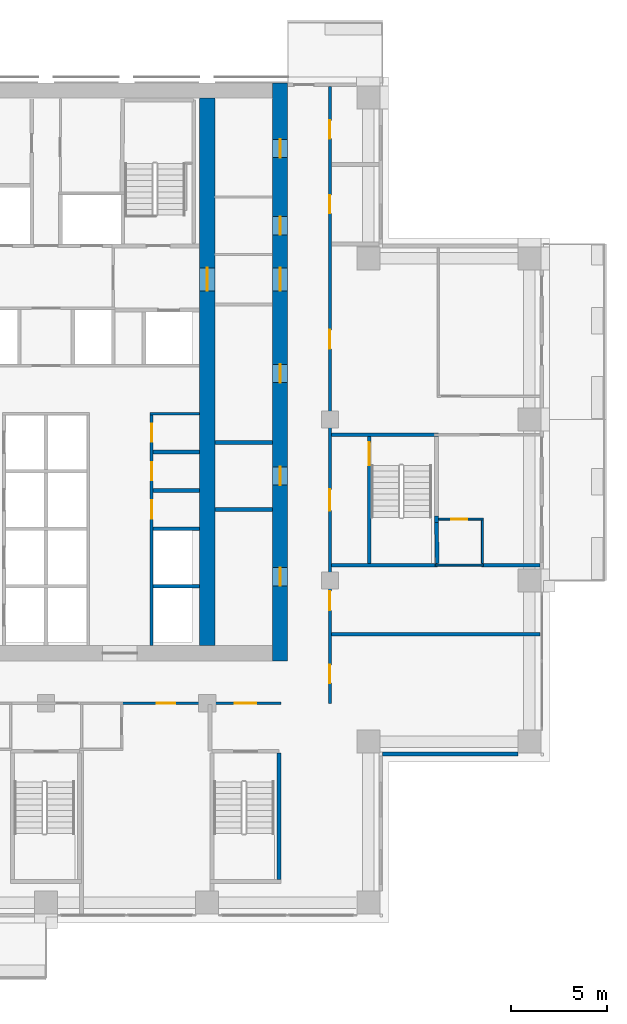
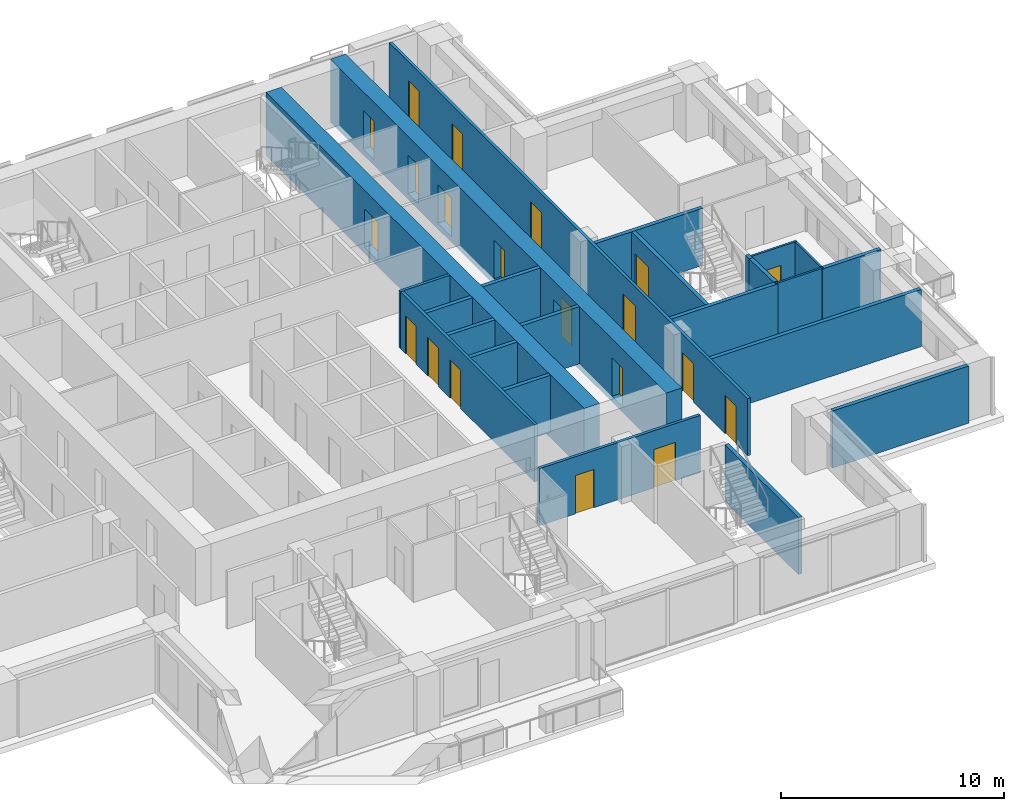
# One storey, part 9 of 16: 24 walls, 20 doors, 20 openings.
"""IFC4 building model written with IfcOpenShell, lengths in metres."""

from ifc_helpers import new_model, si_unit, direction, frame, frame_2d, origin, place, context, subcontext, project, spatial, rectangle, extrude, material, layer, layer_set, type_object, element, fill, save


model = new_model("IFC4")

# Units and contexts
model_context = context("Model", 3, precision=1e-05, world=origin(), true_north=direction((0.0, 1.0)))
body_context = subcontext(model_context, "Body", "Model", "MODEL_VIEW")
ifc_project = project(units=[si_unit("LENGTHUNIT", "METRE"), si_unit("AREAUNIT", "SQUARE_METRE"), si_unit("VOLUMEUNIT", "CUBIC_METRE"), si_unit("PLANEANGLEUNIT", "RADIAN"), si_unit("MASSUNIT", "GRAM", prefix="KILO")], contexts=[model_context])

# Site, building, storey
site_placement = place(None, origin())
site = spatial("IfcSite", under=ifc_project, at=site_placement, CompositionType="ELEMENT")
building_placement = place(site_placement, origin())
building = spatial("IfcBuilding", under=site, at=building_placement, Name="Vermilion Ogive Tower", CompositionType="ELEMENT")
storey_placement = place(building_placement, frame((0.0, 0.0, 101.10009765625)))
storey = spatial("IfcBuildingStorey", under=building, at=storey_placement, Name="L25", CompositionType="ELEMENT", Elevation=101.10009765625)

# Wall, openings, doors
ifc_material_1 = material(Name="Concrete B80", Category="concrete")
ifc_layer_1 = layer(ifc_material_1, 0.800048828125)
ifc_layer_set_1 = layer_set([ifc_layer_1], Name="Core wall 800 B80")
wall_type_1 = type_object("IfcWallType", Name="Core wall 800 B80", PredefinedType="SHEAR", material=ifc_layer_set_1)
wall_1_placement = place(storey_placement, frame((12.199951171875, -8.39990234375, -0.320068359375), z_axis=(0.0, 0.0, 1.0), x_axis=(0.0, 1.0, 0.0)))
wall_1 = element("IfcWall", 1, at=wall_1_placement, inside=storey, type_object=wall_type_1, Name="L25-CORE-E", PredefinedType="SHEAR", context=body_context, shape_type="SweptSolid", body=[
    extrude(rectangle(XDim=30.14990234375, YDim=0.800048828125, at=frame_2d((15.074951171875, 0.0))), origin(), (0.0, 0.0, 1.0), 3.449951171875),
])
opening_1_placement = place(wall_1_placement, frame((3.925048828125, 0.0, 0.320068359375)))
opening_1 = element("IfcOpeningElement", 2, at=opening_1_placement, cuts=wall_1, Name="Opening DAC045", PredefinedType="OPENING", context=body_context, shape_type="SweptSolid", body=[
    extrude(rectangle(XDim=0.949951171875, YDim=2.10009765625, at=frame_2d((0.47509765625, 1.050048828125))), frame((0.0, 0.409912109375, 0.0), z_axis=(0.0, -1.0, 0.0), x_axis=(1.0, 0.0, 0.0)), (0.0, 0.0, 1.0), 0.820068359375),
])
opening_2_placement = place(wall_1_placement, frame((9.175048828125, 0.0, 0.320068359375)))
opening_2 = element("IfcOpeningElement", 3, at=opening_2_placement, cuts=wall_1, Name="Opening DAC046", PredefinedType="OPENING", context=body_context, shape_type="SweptSolid", body=[
    extrude(rectangle(XDim=0.949951171875, YDim=2.10009765625, at=frame_2d((0.47509765625, 1.050048828125))), frame((0.0, 0.409912109375, 0.0), z_axis=(0.0, -1.0, 0.0), x_axis=(1.0, 0.0, 0.0)), (0.0, 0.0, 1.0), 0.820068359375),
])
opening_3_placement = place(wall_1_placement, frame((14.52490234375, 0.0, 0.320068359375)))
opening_3 = element("IfcOpeningElement", 4, at=opening_3_placement, cuts=wall_1, Name="Opening DAC047", PredefinedType="OPENING", context=body_context, shape_type="SweptSolid", body=[
    extrude(rectangle(XDim=0.949951171875, YDim=2.10009765625, at=frame_2d((0.47509765625, 1.050048828125))), frame((0.0, 0.409912109375, 0.0), z_axis=(0.0, -1.0, 0.0), x_axis=(1.0, 0.0, 0.0)), (0.0, 0.0, 1.0), 0.820068359375),
])
opening_4_placement = place(wall_1_placement, frame((22.22509765625, 0.0, 0.320068359375)))
opening_4 = element("IfcOpeningElement", 5, at=opening_4_placement, cuts=wall_1, Name="Opening DAC048", PredefinedType="OPENING", context=body_context, shape_type="SweptSolid", body=[
    extrude(rectangle(XDim=0.949951171875, YDim=2.10009765625, at=frame_2d((0.47509765625, 1.050048828125))), frame((0.0, 0.409912109375, 0.0), z_axis=(0.0, -1.0, 0.0), x_axis=(1.0, 0.0, 0.0)), (0.0, 0.0, 1.0), 0.820068359375),
])
opening_5_placement = place(wall_1_placement, frame((26.25, 0.0, 0.320068359375)))
opening_5 = element("IfcOpeningElement", 6, at=opening_5_placement, cuts=wall_1, Name="Opening DAC049", PredefinedType="OPENING", context=body_context, shape_type="SweptSolid", body=[
    extrude(rectangle(XDim=0.949951171875, YDim=2.10009765625, at=frame_2d((0.47509765625, 1.050048828125))), frame((0.0, 0.409912109375, 0.0), z_axis=(0.0, -1.0, 0.0), x_axis=(1.0, 0.0, 0.0)), (0.0, 0.0, 1.0), 0.820068359375),
])
opening_6_placement = place(wall_1_placement, frame((19.300048828125, 0.0, 0.320068359375)))
opening_6 = element("IfcOpeningElement", 7, at=opening_6_placement, cuts=wall_1, Name="Opening DAL009", PredefinedType="OPENING", context=body_context, shape_type="SweptSolid", body=[
    extrude(rectangle(XDim=1.199951171875, YDim=2.10009765625, at=frame_2d((0.60009765625, 1.050048828125))), frame((0.0, 0.409912109375, 0.0), z_axis=(0.0, -1.0, 0.0), x_axis=(1.0, 0.0, 0.0)), (0.0, 0.0, 1.0), 0.820068359375),
])
ifc_material_2 = material(Name="Timber door leaf", Category="wood")
door_type_1 = type_object("IfcDoorType", Name="Link door 1200 x 2100 FD60S", OperationType="SINGLE_SWING_LEFT", PredefinedType="DOOR", material=ifc_material_2)
door_1_placement = place(opening_6_placement, origin())
door_1 = element("IfcDoor", 8, at=door_1_placement, inside=storey, type_object=door_type_1, Name="L25-CKE-XL", OperationType="SINGLE_SWING_LEFT", OverallHeight=2.10009765625, OverallWidth=1.199951171875, PredefinedType="DOOR", context=body_context, shape_type="SweptSolid", body=[
    extrude(rectangle(XDim=1.199951171875, YDim=2.10009765625, at=frame_2d((0.60009765625, 1.050048828125))), frame((0.0, 0.02490234375, 0.0), z_axis=(0.0, -1.0, 0.0), x_axis=(1.0, 0.0, 0.0)), (0.0, 0.0, 1.0), 0.050048828125),
])
fill(opening_6, door_1)
ifc_material_3 = material(Name="Timber door leaf", Category="wood")
door_type_2 = type_object("IfcDoorType", Name="Service door 950 x 2100 FD60", OperationType="SINGLE_SWING_LEFT", PredefinedType="DOOR", material=ifc_material_3)
door_2_placement = place(opening_1_placement, origin())
door_2 = element("IfcDoor", 9, at=door_2_placement, inside=storey, type_object=door_type_2, Name="L25-CKE-XR0", OperationType="SINGLE_SWING_LEFT", OverallHeight=2.10009765625, OverallWidth=0.949951171875, PredefinedType="DOOR", context=body_context, shape_type="SweptSolid", body=[
    extrude(rectangle(XDim=0.949951171875, YDim=2.10009765625, at=frame_2d((0.47509765625, 1.050048828125))), frame((0.0, 0.02490234375, 0.0), z_axis=(0.0, -1.0, 0.0), x_axis=(1.0, 0.0, 0.0)), (0.0, 0.0, 1.0), 0.050048828125),
])
fill(opening_1, door_2)
door_3_placement = place(opening_2_placement, origin())
door_3 = element("IfcDoor", 10, at=door_3_placement, inside=storey, type_object=door_type_2, Name="L25-CKE-XR1", OperationType="SINGLE_SWING_LEFT", OverallHeight=2.10009765625, OverallWidth=0.949951171875, PredefinedType="DOOR", context=body_context, shape_type="SweptSolid", body=[
    extrude(rectangle(XDim=0.949951171875, YDim=2.10009765625, at=frame_2d((0.47509765625, 1.050048828125))), frame((0.0, 0.02490234375, 0.0), z_axis=(0.0, -1.0, 0.0), x_axis=(1.0, 0.0, 0.0)), (0.0, 0.0, 1.0), 0.050048828125),
])
fill(opening_2, door_3)
door_4_placement = place(opening_3_placement, origin())
door_4 = element("IfcDoor", 11, at=door_4_placement, inside=storey, type_object=door_type_2, Name="L25-CKE-XR2", OperationType="SINGLE_SWING_LEFT", OverallHeight=2.10009765625, OverallWidth=0.949951171875, PredefinedType="DOOR", context=body_context, shape_type="SweptSolid", body=[
    extrude(rectangle(XDim=0.949951171875, YDim=2.10009765625, at=frame_2d((0.47509765625, 1.050048828125))), frame((0.0, 0.02490234375, 0.0), z_axis=(0.0, -1.0, 0.0), x_axis=(1.0, 0.0, 0.0)), (0.0, 0.0, 1.0), 0.050048828125),
])
fill(opening_3, door_4)
door_5_placement = place(opening_4_placement, origin())
door_5 = element("IfcDoor", 12, at=door_5_placement, inside=storey, type_object=door_type_2, Name="L25-CKE-XR3", OperationType="SINGLE_SWING_LEFT", OverallHeight=2.10009765625, OverallWidth=0.949951171875, PredefinedType="DOOR", context=body_context, shape_type="SweptSolid", body=[
    extrude(rectangle(XDim=0.949951171875, YDim=2.10009765625, at=frame_2d((0.47509765625, 1.050048828125))), frame((0.0, 0.02490234375, 0.0), z_axis=(0.0, -1.0, 0.0), x_axis=(1.0, 0.0, 0.0)), (0.0, 0.0, 1.0), 0.050048828125),
])
fill(opening_4, door_5)
door_6_placement = place(opening_5_placement, origin())
door_6 = element("IfcDoor", 13, at=door_6_placement, inside=storey, type_object=door_type_2, Name="L25-CKE-XR4", OperationType="SINGLE_SWING_LEFT", OverallHeight=2.10009765625, OverallWidth=0.949951171875, PredefinedType="DOOR", context=body_context, shape_type="SweptSolid", body=[
    extrude(rectangle(XDim=0.949951171875, YDim=2.10009765625, at=frame_2d((0.47509765625, 1.050048828125))), frame((0.0, 0.02490234375, 0.0), z_axis=(0.0, -1.0, 0.0), x_axis=(1.0, 0.0, 0.0)), (0.0, 0.0, 1.0), 0.050048828125),
])
fill(opening_5, door_6)

# Wall, opening, door
wall_2_placement = place(storey_placement, frame((8.39990234375, -7.60009765625, -0.320068359375), z_axis=(0.0, 0.0, 1.0), x_axis=(0.0, 1.0, 0.0)))
wall_2 = element("IfcWall", 14, at=wall_2_placement, inside=storey, type_object=wall_type_1, Name="L25-CORE-WEB2", PredefinedType="SHEAR", context=body_context, shape_type="SweptSolid", body=[
    extrude(rectangle(XDim=28.550048828125, YDim=0.800048828125, at=frame_2d((14.27490234375, 0.0))), origin(), (0.0, 0.0, 1.0), 3.449951171875),
])
opening_7_placement = place(wall_2_placement, frame((18.5, 0.0, 0.320068359375)))
opening_7 = element("IfcOpeningElement", 15, at=opening_7_placement, cuts=wall_2, Name="Opening DAO009", PredefinedType="OPENING", context=body_context, shape_type="SweptSolid", body=[
    extrude(rectangle(XDim=1.199951171875, YDim=2.10009765625, at=frame_2d((0.60009765625, 1.050048828125))), frame((0.0, 0.409912109375, 0.0), z_axis=(0.0, -1.0, 0.0), x_axis=(1.0, 0.0, 0.0)), (0.0, 0.0, 1.0), 0.820068359375),
])
door_7_placement = place(opening_7_placement, origin())
door_7 = element("IfcDoor", 16, at=door_7_placement, inside=storey, type_object=door_type_1, Name="L25-CKE-XW", OperationType="SINGLE_SWING_LEFT", OverallHeight=2.10009765625, OverallWidth=1.199951171875, PredefinedType="DOOR", context=body_context, shape_type="SweptSolid", body=[
    extrude(rectangle(XDim=1.199951171875, YDim=2.10009765625, at=frame_2d((0.60009765625, 1.050048828125))), frame((0.0, 0.02490234375, 0.0), z_axis=(0.0, -1.0, 0.0), x_axis=(1.0, 0.0, 0.0)), (0.0, 0.0, 1.0), 0.050048828125),
])
fill(opening_7, door_7)

# Wall
ifc_material_4 = material(Name="Gypsum board partition on steel studs", Category="steel")
ifc_layer_2 = layer(ifc_material_4, 0.10009765625)
ifc_layer_set_2 = layer_set([ifc_layer_2], Name="Partition 100 bath")
wall_type_2 = type_object("IfcWallType", Name="Partition 100 bath", PredefinedType="PARTITIONING", material=ifc_layer_set_2)
wall_3_placement = place(storey_placement, frame((20.300048828125, -3.39990234375, 0.0), z_axis=(0.0, 0.0, 1.0), x_axis=(1.0, 0.0, 0.0)))
element("IfcWall", 17, at=wall_3_placement, inside=storey, type_object=wall_type_2, Name="L25-W-W017", PredefinedType="PARTITIONING", context=body_context, shape_type="SweptSolid", body=[
    extrude(rectangle(XDim=2.5, YDim=0.10009765625, at=frame_2d((1.25, 0.0))), origin(), (0.0, 0.0, 1.0), 3.1298828125),
])

# Wall, opening, door
wall_4_placement = place(storey_placement, frame((20.449951171875, -1.0, 0.0), z_axis=(0.0, 0.0, 1.0), x_axis=(1.0, 0.0, 0.0)))
wall_4 = element("IfcWall", 18, at=wall_4_placement, inside=storey, type_object=wall_type_2, Name="L25-W-W019", PredefinedType="PARTITIONING", context=body_context, shape_type="SweptSolid", body=[
    extrude(rectangle(XDim=2.35009765625, YDim=0.10009765625, at=frame_2d((1.175048828125, 0.0))), origin(), (0.0, 0.0, 1.0), 3.1298828125),
])
opening_8_placement = place(wall_4_placement, frame((0.675048828125, 0.0, 0.0)))
opening_8 = element("IfcOpeningElement", 19, at=opening_8_placement, cuts=wall_4, Name="Opening D2G3017", PredefinedType="OPENING", context=body_context, shape_type="SweptSolid", body=[
    extrude(rectangle(XDim=0.85009765625, YDim=2.10009765625, at=frame_2d((0.425048828125, 1.050048828125))), frame((0.0, 0.06005859375, 0.0), z_axis=(0.0, -1.0, 0.0), x_axis=(1.0, 0.0, 0.0)), (0.0, 0.0, 1.0), 0.1201171875),
])
ifc_material_5 = material(Name="Timber door leaf", Category="wood")
door_type_3 = type_object("IfcDoorType", Name="Bath door 850 x 2100 FD30", OperationType="SINGLE_SWING_LEFT", PredefinedType="DOOR", material=ifc_material_5)
door_8_placement = place(opening_8_placement, origin())
door_8 = element("IfcDoor", 20, at=door_8_placement, inside=storey, type_object=door_type_3, Name="L25-D-D017", OperationType="SINGLE_SWING_RIGHT", OverallHeight=2.10009765625, OverallWidth=0.85009765625, PredefinedType="DOOR", context=body_context, shape_type="SweptSolid", body=[
    extrude(rectangle(XDim=0.85009765625, YDim=2.10009765625, at=frame_2d((0.425048828125, 1.050048828125))), frame((0.0, 0.02490234375, 0.0), z_axis=(0.0, -1.0, 0.0), x_axis=(1.0, 0.0, 0.0)), (0.0, 0.0, 1.0), 0.050048828125),
])
fill(opening_8, door_8)

# Wall
wall_5_placement = place(storey_placement, frame((22.75, -3.300048828125, 0.0), z_axis=(0.0, 0.0, 1.0), x_axis=(0.0, 1.0, 0.0)))
element("IfcWall", 21, at=wall_5_placement, inside=storey, type_object=wall_type_2, Name="L25-W-W051", PredefinedType="PARTITIONING", context=body_context, shape_type="SweptSolid", body=[
    extrude(rectangle(XDim=2.25, YDim=0.10009765625, at=frame_2d((1.125, 0.0))), origin(), (0.0, 0.0, 1.0), 3.1298828125),
])

# Wall, openings, doors
ifc_material_6 = material(Name="Gypsum board partition on steel studs", Category="steel")
ifc_layer_3 = layer(ifc_material_6, 0.14990234375)
ifc_layer_set_3 = layer_set([ifc_layer_3], Name="Partition 150 corridor")
wall_type_3 = type_object("IfcWallType", Name="Partition 150 corridor", PredefinedType="PARTITIONING", material=ifc_layer_set_3)
wall_6_placement = place(storey_placement, frame((3.89990234375, -10.60009765625, 0.0), z_axis=(0.0, 0.0, 1.0), x_axis=(1.0, 0.0, 0.0)))
wall_6 = element("IfcWall", 22, at=wall_6_placement, inside=storey, type_object=wall_type_3, Name="L25-W-W011", PredefinedType="PARTITIONING", context=body_context, shape_type="SweptSolid", body=[
    extrude(rectangle(XDim=8.35009765625, YDim=0.14990234375, at=frame_2d((4.175048828125, 0.0))), origin(), (0.0, 0.0, 1.0), 3.1298828125),
])
opening_9_placement = place(wall_6_placement, frame((1.875, 0.0, 0.0)))
opening_9 = element("IfcOpeningElement", 23, at=opening_9_placement, cuts=wall_6, Name="Opening D2G3011", PredefinedType="OPENING", context=body_context, shape_type="SweptSolid", body=[
    extrude(rectangle(XDim=0.949951171875, YDim=2.10009765625, at=frame_2d((0.47509765625, 1.050048828125))), frame((0.0, 0.0849609375, 0.0), z_axis=(0.0, -1.0, 0.0), x_axis=(1.0, 0.0, 0.0)), (0.0, 0.0, 1.0), 0.169921875),
])
opening_10_placement = place(wall_6_placement, frame((5.9501953125, 0.0, 0.0)))
opening_10 = element("IfcOpeningElement", 24, at=opening_10_placement, cuts=wall_6, Name="Opening D2G3024", PredefinedType="OPENING", context=body_context, shape_type="SweptSolid", body=[
    extrude(rectangle(XDim=1.10009765625, YDim=2.10009765625, at=frame_2d((0.550048828125, 1.050048828125))), frame((0.0, 0.0849609375, 0.0), z_axis=(0.0, -1.0, 0.0), x_axis=(1.0, 0.0, 0.0)), (0.0, 0.0, 1.0), 0.169921875),
])
ifc_material_7 = material(Name="Timber door leaf", Category="wood")
door_type_4 = type_object("IfcDoorType", Name="Stair door 1100 x 2100 FD60S", OperationType="SINGLE_SWING_LEFT", PredefinedType="DOOR", material=ifc_material_7)
door_9_placement = place(opening_10_placement, origin())
door_9 = element("IfcDoor", 25, at=door_9_placement, inside=storey, type_object=door_type_4, Name="L25-D-D024", OperationType="SINGLE_SWING_LEFT", OverallHeight=2.10009765625, OverallWidth=1.10009765625, PredefinedType="DOOR", context=body_context, shape_type="SweptSolid", body=[
    extrude(rectangle(XDim=1.10009765625, YDim=2.10009765625, at=frame_2d((0.550048828125, 1.050048828125))), frame((0.0, 0.02490234375, 0.0), z_axis=(0.0, -1.0, 0.0), x_axis=(1.0, 0.0, 0.0)), (0.0, 0.0, 1.0), 0.050048828125),
])
fill(opening_10, door_9)
ifc_material_8 = material(Name="Timber door leaf", Category="wood")
door_type_5 = type_object("IfcDoorType", Name="Unit door 950 x 2100 FD30S", OperationType="SINGLE_SWING_LEFT", PredefinedType="DOOR", material=ifc_material_8)
door_10_placement = place(opening_9_placement, origin())
door_10 = element("IfcDoor", 26, at=door_10_placement, inside=storey, type_object=door_type_5, Name="L25-D-D011", OperationType="SINGLE_SWING_LEFT", OverallHeight=2.10009765625, OverallWidth=0.949951171875, PredefinedType="DOOR", context=body_context, shape_type="SweptSolid", body=[
    extrude(rectangle(XDim=0.949951171875, YDim=2.10009765625, at=frame_2d((0.47509765625, 1.050048828125))), frame((0.0, 0.02490234375, 0.0), z_axis=(0.0, -1.0, 0.0), x_axis=(1.0, 0.0, 0.0)), (0.0, 0.0, 1.0), 0.050048828125),
])
fill(opening_9, door_10)

wall_7_placement = place(storey_placement, frame((14.800048828125, -10.60009765625, 0.0), z_axis=(0.0, 0.0, 1.0), x_axis=(0.0, 1.0, 0.0)))
wall_7 = element("IfcWall", 27, at=wall_7_placement, inside=storey, type_object=wall_type_3, Name="L25-W-W046", PredefinedType="PARTITIONING", context=body_context, shape_type="SweptSolid", body=[
    extrude(rectangle(XDim=32.150146484375, YDim=0.14990234375, at=frame_2d((16.0751953125, 0.0))), origin(), (0.0, 0.0, 1.0), 3.1298828125),
])
opening_11_placement = place(wall_7_placement, frame((1.050048828125, 0.0, 0.0)))
opening_11 = element("IfcOpeningElement", 28, at=opening_11_placement, cuts=wall_7, Name="Opening D2G3013", PredefinedType="OPENING", context=body_context, shape_type="SweptSolid", body=[
    extrude(rectangle(XDim=0.949951171875, YDim=2.10009765625, at=frame_2d((0.47509765625, 1.050048828125))), frame((0.0, 0.0849609375, 0.0), z_axis=(0.0, -1.0, 0.0), x_axis=(1.0, 0.0, 0.0)), (0.0, 0.0, 1.0), 0.169921875),
])
opening_12_placement = place(wall_7_placement, frame((18.47509765625, 0.0, 0.0)))
opening_12 = element("IfcOpeningElement", 29, at=opening_12_placement, cuts=wall_7, Name="Opening D2G3015", PredefinedType="OPENING", context=body_context, shape_type="SweptSolid", body=[
    extrude(rectangle(XDim=1.0, YDim=2.10009765625, at=frame_2d((0.5, 1.050048828125))), frame((0.0, 0.0849609375, 0.0), z_axis=(0.0, -1.0, 0.0), x_axis=(1.0, 0.0, 0.0)), (0.0, 0.0, 1.0), 0.169921875),
])
opening_13_placement = place(wall_7_placement, frame((25.550048828125, 0.0, 0.0)))
opening_13 = element("IfcOpeningElement", 30, at=opening_13_placement, cuts=wall_7, Name="Opening D2G3018", PredefinedType="OPENING", context=body_context, shape_type="SweptSolid", body=[
    extrude(rectangle(XDim=0.949951171875, YDim=2.10009765625, at=frame_2d((0.47509765625, 1.050048828125))), frame((0.0, 0.0849609375, 0.0), z_axis=(0.0, -1.0, 0.0), x_axis=(1.0, 0.0, 0.0)), (0.0, 0.0, 1.0), 0.169921875),
])
opening_14_placement = place(wall_7_placement, frame((29.4501953125, 0.0, 0.0)))
opening_14 = element("IfcOpeningElement", 31, at=opening_14_placement, cuts=wall_7, Name="Opening D2G3019", PredefinedType="OPENING", context=body_context, shape_type="SweptSolid", body=[
    extrude(rectangle(XDim=0.949951171875, YDim=2.10009765625, at=frame_2d((0.47509765625, 1.050048828125))), frame((0.0, 0.0849609375, 0.0), z_axis=(0.0, -1.0, 0.0), x_axis=(1.0, 0.0, 0.0)), (0.0, 0.0, 1.0), 0.169921875),
])
opening_15_placement = place(wall_7_placement, frame((10.050048828125, 0.0, 0.0)))
opening_15 = element("IfcOpeningElement", 32, at=opening_15_placement, cuts=wall_7, Name="Opening D2G3026", PredefinedType="OPENING", context=body_context, shape_type="SweptSolid", body=[
    extrude(rectangle(XDim=1.10009765625, YDim=2.10009765625, at=frame_2d((0.550048828125, 1.050048828125))), frame((0.0, 0.0849609375, 0.0), z_axis=(0.0, -1.0, 0.0), x_axis=(1.0, 0.0, 0.0)), (0.0, 0.0, 1.0), 0.169921875),
])
opening_16_placement = place(wall_7_placement, frame((4.85009765625, 0.0, 0.0)))
opening_16 = element("IfcOpeningElement", 33, at=opening_16_placement, cuts=wall_7, Name="Opening D2G3031", PredefinedType="OPENING", context=body_context, shape_type="SweptSolid", body=[
    extrude(rectangle(XDim=1.0, YDim=2.10009765625, at=frame_2d((0.5, 1.050048828125))), frame((0.0, 0.0849609375, 0.0), z_axis=(0.0, -1.0, 0.0), x_axis=(1.0, 0.0, 0.0)), (0.0, 0.0, 1.0), 0.169921875),
])
door_11_placement = place(opening_15_placement, origin())
door_11 = element("IfcDoor", 34, at=door_11_placement, inside=storey, type_object=door_type_4, Name="L25-D-D026", OperationType="SINGLE_SWING_LEFT", OverallHeight=2.10009765625, OverallWidth=1.10009765625, PredefinedType="DOOR", context=body_context, shape_type="SweptSolid", body=[
    extrude(rectangle(XDim=1.10009765625, YDim=2.10009765625, at=frame_2d((0.550048828125, 1.050048828125))), frame((0.0, 0.02490234375, 0.0), z_axis=(0.0, -1.0, 0.0), x_axis=(1.0, 0.0, 0.0)), (0.0, 0.0, 1.0), 0.050048828125),
])
fill(opening_15, door_11)
ifc_material_9 = material(Name="Timber door leaf", Category="wood")
door_type_6 = type_object("IfcDoorType", Name="Unit door 1000 x 2100 FD30S", OperationType="SINGLE_SWING_LEFT", PredefinedType="DOOR", material=ifc_material_9)
door_12_placement = place(opening_12_placement, origin())
door_12 = element("IfcDoor", 35, at=door_12_placement, inside=storey, type_object=door_type_6, Name="L25-D-D015", OperationType="SINGLE_SWING_LEFT", OverallHeight=2.10009765625, OverallWidth=1.0, PredefinedType="DOOR", context=body_context, shape_type="SweptSolid", body=[
    extrude(rectangle(XDim=1.0, YDim=2.10009765625, at=frame_2d((0.5, 1.050048828125))), frame((0.0, 0.02490234375, 0.0), z_axis=(0.0, -1.0, 0.0), x_axis=(1.0, 0.0, 0.0)), (0.0, 0.0, 1.0), 0.050048828125),
])
fill(opening_12, door_12)
door_13_placement = place(opening_16_placement, origin())
door_13 = element("IfcDoor", 36, at=door_13_placement, inside=storey, type_object=door_type_6, Name="L25-D-D031", OperationType="SINGLE_SWING_LEFT", OverallHeight=2.10009765625, OverallWidth=1.0, PredefinedType="DOOR", context=body_context, shape_type="SweptSolid", body=[
    extrude(rectangle(XDim=1.0, YDim=2.10009765625, at=frame_2d((0.5, 1.050048828125))), frame((0.0, 0.02490234375, 0.0), z_axis=(0.0, -1.0, 0.0), x_axis=(1.0, 0.0, 0.0)), (0.0, 0.0, 1.0), 0.050048828125),
])
fill(opening_16, door_13)
door_14_placement = place(opening_11_placement, origin())
door_14 = element("IfcDoor", 37, at=door_14_placement, inside=storey, type_object=door_type_5, Name="L25-D-D013", OperationType="SINGLE_SWING_RIGHT", OverallHeight=2.10009765625, OverallWidth=0.949951171875, PredefinedType="DOOR", context=body_context, shape_type="SweptSolid", body=[
    extrude(rectangle(XDim=0.949951171875, YDim=2.10009765625, at=frame_2d((0.47509765625, 1.050048828125))), frame((0.0, 0.02490234375, 0.0), z_axis=(0.0, -1.0, 0.0), x_axis=(1.0, 0.0, 0.0)), (0.0, 0.0, 1.0), 0.050048828125),
])
fill(opening_11, door_14)
door_15_placement = place(opening_13_placement, origin())
door_15 = element("IfcDoor", 38, at=door_15_placement, inside=storey, type_object=door_type_5, Name="L25-D-D018", OperationType="SINGLE_SWING_RIGHT", OverallHeight=2.10009765625, OverallWidth=0.949951171875, PredefinedType="DOOR", context=body_context, shape_type="SweptSolid", body=[
    extrude(rectangle(XDim=0.949951171875, YDim=2.10009765625, at=frame_2d((0.47509765625, 1.050048828125))), frame((0.0, 0.02490234375, 0.0), z_axis=(0.0, -1.0, 0.0), x_axis=(1.0, 0.0, 0.0)), (0.0, 0.0, 1.0), 0.050048828125),
])
fill(opening_13, door_15)
door_16_placement = place(opening_14_placement, origin())
door_16 = element("IfcDoor", 39, at=door_16_placement, inside=storey, type_object=door_type_5, Name="L25-D-D019", OperationType="SINGLE_SWING_LEFT", OverallHeight=2.10009765625, OverallWidth=0.949951171875, PredefinedType="DOOR", context=body_context, shape_type="SweptSolid", body=[
    extrude(rectangle(XDim=0.949951171875, YDim=2.10009765625, at=frame_2d((0.47509765625, 1.050048828125))), frame((0.0, 0.02490234375, 0.0), z_axis=(0.0, -1.0, 0.0), x_axis=(1.0, 0.0, 0.0)), (0.0, 0.0, 1.0), 0.050048828125),
])
fill(opening_14, door_16)

# Wall
wall_8_placement = place(storey_placement, frame((5.425048828125, 4.5, 0.0), z_axis=(0.0, 0.0, 1.0), x_axis=(1.0, 0.0, 0.0)))
element("IfcWall", 40, at=wall_8_placement, inside=storey, type_object=wall_type_3, Name="L25-CK-W-W013", PredefinedType="PARTITIONING", context=body_context, shape_type="SweptSolid", body=[
    extrude(rectangle(XDim=2.573974609375, YDim=0.14990234375, at=frame_2d((1.287109375, 0.0))), origin(), (0.0, 0.0, 1.0), 3.1298828125),
])

# Wall, openings, doors
wall_9_placement = place(storey_placement, frame((5.5, -7.59912109375, 0.0), z_axis=(0.0, 0.0, 1.0), x_axis=(0.0, 1.0, 0.0)))
wall_9 = element("IfcWall", 41, at=wall_9_placement, inside=storey, type_object=wall_type_3, Name="L25-CK-W-W041", PredefinedType="PARTITIONING", context=body_context, shape_type="SweptSolid", body=[
    extrude(rectangle(XDim=12.024169921875, YDim=0.14990234375, at=frame_2d((6.01220703125, 0.0))), origin(), (0.0, 0.0, 1.0), 3.1298828125),
])
opening_17_placement = place(wall_9_placement, frame((6.6240234375, 0.0, 0.0)))
opening_17 = element("IfcOpeningElement", 42, at=opening_17_placement, cuts=wall_9, Name="Opening DAA189", PredefinedType="OPENING", context=body_context, shape_type="SweptSolid", body=[
    extrude(rectangle(XDim=0.949951171875, YDim=2.10009765625, at=frame_2d((0.47509765625, 1.050048828125))), frame((0.0, 0.0849609375, 0.0), z_axis=(0.0, -1.0, 0.0), x_axis=(1.0, 0.0, 0.0)), (0.0, 0.0, 1.0), 0.169921875),
])
opening_18_placement = place(wall_9_placement, frame((8.6240234375, 0.0, 0.0)))
opening_18 = element("IfcOpeningElement", 43, at=opening_18_placement, cuts=wall_9, Name="Opening DAA190", PredefinedType="OPENING", context=body_context, shape_type="SweptSolid", body=[
    extrude(rectangle(XDim=0.949951171875, YDim=2.10009765625, at=frame_2d((0.47509765625, 1.050048828125))), frame((0.0, 0.0849609375, 0.0), z_axis=(0.0, -1.0, 0.0), x_axis=(1.0, 0.0, 0.0)), (0.0, 0.0, 1.0), 0.169921875),
])
opening_19_placement = place(wall_9_placement, frame((10.6240234375, 0.0, 0.0)))
opening_19 = element("IfcOpeningElement", 44, at=opening_19_placement, cuts=wall_9, Name="Opening DAA191", PredefinedType="OPENING", context=body_context, shape_type="SweptSolid", body=[
    extrude(rectangle(XDim=0.949951171875, YDim=2.10009765625, at=frame_2d((0.47509765625, 1.050048828125))), frame((0.0, 0.0849609375, 0.0), z_axis=(0.0, -1.0, 0.0), x_axis=(1.0, 0.0, 0.0)), (0.0, 0.0, 1.0), 0.169921875),
])
door_17_placement = place(opening_17_placement, origin())
door_17 = element("IfcDoor", 45, at=door_17_placement, inside=storey, type_object=door_type_2, Name="L25-CK-D-D009", OperationType="SINGLE_SWING_RIGHT", OverallHeight=2.10009765625, OverallWidth=0.949951171875, PredefinedType="DOOR", context=body_context, shape_type="SweptSolid", body=[
    extrude(rectangle(XDim=0.949951171875, YDim=2.10009765625, at=frame_2d((0.47509765625, 1.050048828125))), frame((0.0, 0.02490234375, 0.0), z_axis=(0.0, -1.0, 0.0), x_axis=(1.0, 0.0, 0.0)), (0.0, 0.0, 1.0), 0.050048828125),
])
fill(opening_17, door_17)
door_18_placement = place(opening_18_placement, origin())
door_18 = element("IfcDoor", 46, at=door_18_placement, inside=storey, type_object=door_type_2, Name="L25-CK-D-D010", OperationType="SINGLE_SWING_LEFT", OverallHeight=2.10009765625, OverallWidth=0.949951171875, PredefinedType="DOOR", context=body_context, shape_type="SweptSolid", body=[
    extrude(rectangle(XDim=0.949951171875, YDim=2.10009765625, at=frame_2d((0.47509765625, 1.050048828125))), frame((0.0, 0.02490234375, 0.0), z_axis=(0.0, -1.0, 0.0), x_axis=(1.0, 0.0, 0.0)), (0.0, 0.0, 1.0), 0.050048828125),
])
fill(opening_18, door_18)
door_19_placement = place(opening_19_placement, origin())
door_19 = element("IfcDoor", 47, at=door_19_placement, inside=storey, type_object=door_type_2, Name="L25-CK-D-D011", OperationType="SINGLE_SWING_RIGHT", OverallHeight=2.10009765625, OverallWidth=0.949951171875, PredefinedType="DOOR", context=body_context, shape_type="SweptSolid", body=[
    extrude(rectangle(XDim=0.949951171875, YDim=2.10009765625, at=frame_2d((0.47509765625, 1.050048828125))), frame((0.0, 0.02490234375, 0.0), z_axis=(0.0, -1.0, 0.0), x_axis=(1.0, 0.0, 0.0)), (0.0, 0.0, 1.0), 0.050048828125),
])
fill(opening_19, door_19)

# Walls
ifc_material_10 = material(Name="Gypsum board partition on steel studs", Category="steel")
ifc_layer_4 = layer(ifc_material_10, 0.199951171875)
ifc_layer_set_4 = layer_set([ifc_layer_4], Name="Partition 200 party")
wall_type_4 = type_object("IfcWallType", Name="Partition 200 party", PredefinedType="PARTITIONING", material=ifc_layer_set_4)
wall_10_placement = place(storey_placement, frame((14.875, -7.0, 0.0), z_axis=(0.0, 0.0, 1.0), x_axis=(1.0, 0.0, 0.0)))
element("IfcWall", 48, at=wall_10_placement, inside=storey, type_object=wall_type_4, Name="L25-W-W013", PredefinedType="PARTITIONING", context=body_context, shape_type="SweptSolid", body=[
    extrude(rectangle(XDim=10.875, YDim=0.199951171875, at=frame_2d((5.4375, 0.0))), origin(), (0.0, 0.0, 1.0), 3.1298828125),
])
wall_11_placement = place(storey_placement, frame((22.699951171875, -3.39990234375, 0.0), z_axis=(0.0, 0.0, 1.0), x_axis=(1.0, 0.0, 0.0)))
element("IfcWall", 49, at=wall_11_placement, inside=storey, type_object=wall_type_4, Name="L25-W-W018", PredefinedType="PARTITIONING", context=body_context, shape_type="SweptSolid", body=[
    extrude(rectangle(XDim=3.050048828125, YDim=0.199951171875, at=frame_2d((1.52490234375, 0.0))), origin(), (0.0, 0.0, 1.0), 3.1298828125),
])
for number, where, z_axis, x_axis, name in (
    (50, (5.574951171875, -4.5, 0.0), (0.0, 0.0, 1.0), (1.0, 0.0, 0.0), "L25-CK-W-W003"),
    (51, (5.574951171875, -1.5, 0.0), (0.0, 0.0, 1.0), (1.0, 0.0, 0.0), "L25-CK-W-W006"),
    (52, (5.574951171875, 0.5, 0.0), (0.0, 0.0, 1.0), (1.0, 0.0, 0.0), "L25-CK-W-W007"),
    (53, (5.574951171875, 2.5, 0.0), (0.0, 0.0, 1.0), (1.0, 0.0, 0.0), "L25-CK-W-W010"),
):
    element("IfcWall", number, at=place(storey_placement, frame(where, z_axis=z_axis, x_axis=x_axis)), inside=storey, type_object=wall_type_4, Name=name, PredefinedType="PARTITIONING", context=body_context, shape_type="SweptSolid", body=[
        extrude(rectangle(XDim=2.424072265625, YDim=0.199951171875, at=frame_2d((1.2119140625, 0.0))), origin(), (0.0, 0.0, 1.0), 3.1298828125),
    ])
for number, where, z_axis, x_axis, name in (
    (54, (8.801025390625, -0.5, 0.0), (0.0, 0.0, 1.0), (1.0, 0.0, 0.0), "L25-CKE-W-W001"),
    (55, (8.801025390625, 3.0, 0.0), (0.0, 0.0, 1.0), (1.0, 0.0, 0.0), "L25-CKE-W-W002"),
):
    element("IfcWall", number, at=place(storey_placement, frame(where, z_axis=z_axis, x_axis=x_axis)), inside=storey, type_object=wall_type_4, Name=name, PredefinedType="PARTITIONING", context=body_context, shape_type="SweptSolid", body=[
        extrude(rectangle(XDim=2.998046875, YDim=0.199951171875, at=frame_2d((1.4990234375, 0.0))), origin(), (0.0, 0.0, 1.0), 3.1298828125),
    ])
ifc_material_11 = material(Name="Concrete B60", Category="concrete")
ifc_layer_5 = layer(ifc_material_11, 0.199951171875)
ifc_layer_set_5 = layer_set([ifc_layer_5], Name="Stair shaft wall 200 Concrete B60")
wall_type_5 = type_object("IfcWallType", Name="Stair shaft wall 200 Concrete B60", PredefinedType="SOLIDWALL", material=ifc_layer_set_5)
wall_12_placement = place(storey_placement, frame((14.875, -3.39990234375, 0.0), z_axis=(0.0, 0.0, 1.0), x_axis=(1.0, 0.0, 0.0)))
element("IfcWall", 56, at=wall_12_placement, inside=storey, type_object=wall_type_5, Name="L25-W-W016", PredefinedType="SOLIDWALL", context=body_context, shape_type="SweptSolid", body=[
    extrude(rectangle(XDim=5.52490234375, YDim=0.199951171875, at=frame_2d((2.762451171875, 0.0))), origin(), (0.0, 0.0, 1.0), 3.1298828125),
])
wall_13_placement = place(storey_placement, frame((14.875, 3.39990234375, 0.0), z_axis=(0.0, 0.0, 1.0), x_axis=(1.0, 0.0, 0.0)))
element("IfcWall", 57, at=wall_13_placement, inside=storey, type_object=wall_type_5, Name="L25-W-W023", PredefinedType="SOLIDWALL", context=body_context, shape_type="SweptSolid", body=[
    extrude(rectangle(XDim=5.574951171875, YDim=0.199951171875, at=frame_2d((2.78759765625, 0.0))), origin(), (0.0, 0.0, 1.0), 3.1298828125),
])

# Wall, opening, door
wall_14_placement = place(storey_placement, frame((16.85009765625, -3.300048828125, 0.0), z_axis=(0.0, 0.0, 1.0), x_axis=(0.0, 1.0, 0.0)))
wall_14 = element("IfcWall", 58, at=wall_14_placement, inside=storey, type_object=wall_type_5, Name="L25-W-W047", PredefinedType="SOLIDWALL", context=body_context, shape_type="SweptSolid", body=[
    extrude(rectangle(XDim=6.60009765625, YDim=0.199951171875, at=frame_2d((3.300048828125, 0.0))), origin(), (0.0, 0.0, 1.0), 3.1298828125),
])
opening_20_placement = place(wall_14_placement, frame((5.10009765625, 0.0, 0.0)))
opening_20 = element("IfcOpeningElement", 59, at=opening_20_placement, cuts=wall_14, Name="Opening D2G3027", PredefinedType="OPENING", context=body_context, shape_type="SweptSolid", body=[
    extrude(rectangle(XDim=1.199951171875, YDim=2.10009765625, at=frame_2d((0.60009765625, 1.050048828125))), frame((0.0, 0.10986328125, 0.0), z_axis=(0.0, -1.0, 0.0), x_axis=(1.0, 0.0, 0.0)), (0.0, 0.0, 1.0), 0.219970703125),
])
ifc_material_12 = material(Name="Timber door leaf", Category="wood")
door_type_7 = type_object("IfcDoorType", Name="Stair door 1200 x 2100 FD60S", OperationType="SINGLE_SWING_LEFT", PredefinedType="DOOR", material=ifc_material_12)
door_20_placement = place(opening_20_placement, origin())
door_20 = element("IfcDoor", 60, at=door_20_placement, inside=storey, type_object=door_type_7, Name="L25-D-D027", OperationType="SINGLE_SWING_LEFT", OverallHeight=2.10009765625, OverallWidth=1.199951171875, PredefinedType="DOOR", context=body_context, shape_type="SweptSolid", body=[
    extrude(rectangle(XDim=1.199951171875, YDim=2.10009765625, at=frame_2d((0.60009765625, 1.050048828125))), frame((0.0, 0.02490234375, 0.0), z_axis=(0.0, -1.0, 0.0), x_axis=(1.0, 0.0, 0.0)), (0.0, 0.0, 1.0), 0.050048828125),
])
fill(opening_20, door_20)

# Walls
wall_15_placement = place(storey_placement, frame((20.400146484375, -3.300048828125, 0.0), z_axis=(0.0, 0.0, 1.0), x_axis=(-0.021771342749, 0.999762976227, 0.0)))
element("IfcWall", 61, at=wall_15_placement, inside=storey, type_object=wall_type_5, Name="L25-W-W048", PredefinedType="SOLIDWALL", context=body_context, shape_type="SweptSolid", body=[
    extrude(rectangle(XDim=2.130615234375, YDim=0.199951171875, at=frame_2d((1.0654296875, 0.0))), origin(), (0.0, 0.0, 1.0), 3.1298828125),
])
wall_16_placement = place(storey_placement, frame((12.14990234375, -19.800048828125, 0.0), z_axis=(0.0, 0.0, 1.0), x_axis=(0.0, 1.0, 0.0)))
element("IfcWall", 62, at=wall_16_placement, inside=storey, type_object=wall_type_5, Name="L25-SW-ST5-E1", PredefinedType="SOLIDWALL", context=body_context, shape_type="SweptSolid", body=[
    extrude(rectangle(XDim=6.60009765625, YDim=0.199951171875, at=frame_2d((3.300048828125, 0.0))), origin(), (0.0, 0.0, 1.0), 3.1298828125),
])
wall_17_placement = place(storey_placement, frame((20.35009765625, -1.169921875, 0.0), z_axis=(0.0, 0.0, 1.0), x_axis=(0.0, 1.0, 0.0)))
element("IfcWall", 63, at=wall_17_placement, inside=storey, type_object=wall_type_5, Name="L25-SW-ST8-E1", PredefinedType="SOLIDWALL", context=body_context, shape_type="SweptSolid", body=[
    extrude(rectangle(XDim=0.33984375, YDim=0.199951171875, at=frame_2d((0.169921875, 0.0))), origin(), (0.0, 0.0, 1.0), 3.1298828125),
])
ifc_material_13 = material(Name="Aluminium window wall framing", Category="aluminium")
ifc_layer_6 = layer(ifc_material_13, 0.199951171875)
ifc_layer_set_6 = layer_set([ifc_layer_6], Name="Window wall")
wall_type_6 = type_object("IfcWallType", Name="Window wall", PredefinedType="STANDARD", material=ifc_layer_set_6)
wall_18_placement = place(storey_placement, frame((17.550048828125, -13.25, 0.0), z_axis=(0.0, 0.0, 1.0), x_axis=(1.0, 0.0, 0.0)))
element("IfcWall", 64, at=wall_18_placement, inside=storey, type_object=wall_type_6, Name="Window wall X21", PredefinedType="STANDARD", context=body_context, shape_type="SweptSolid", body=[
    extrude(rectangle(XDim=7.050048828125, YDim=0.199951171875, at=frame_2d((3.52490234375, 0.0))), origin(), (0.0, 0.0, 1.0), 3.1298828125),
])

save(model, "model.ifc")
